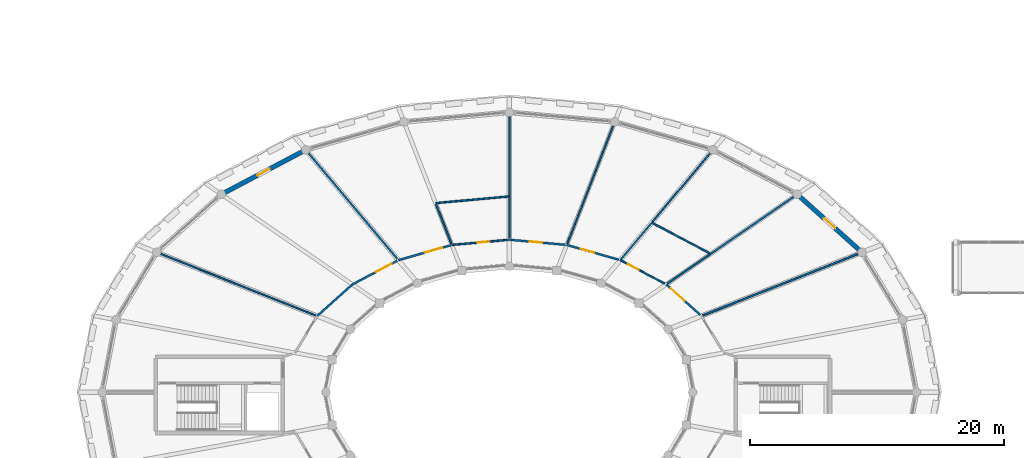
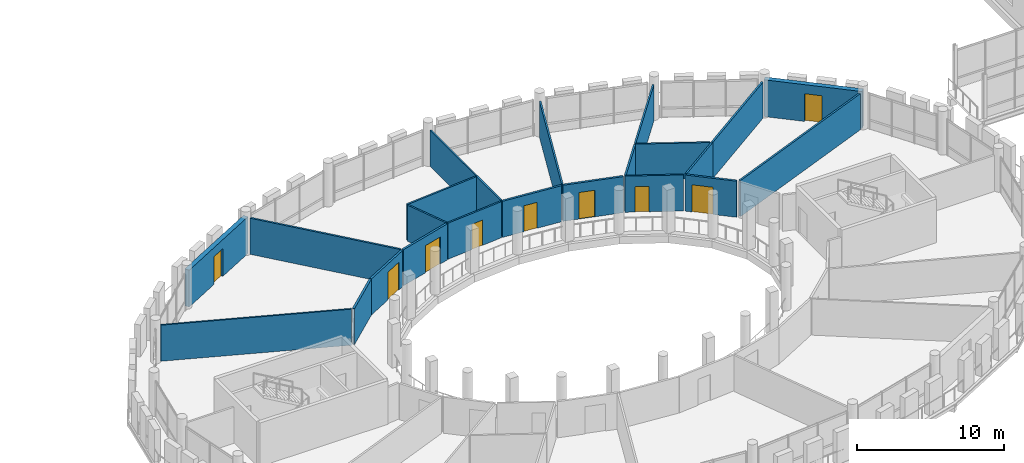
# One storey, part 115 of 128: 23 walls, 9 doors, 9 openings.
"""IFC4 building model written with IfcOpenShell, lengths in metres."""

from ifc_helpers import new_model, si_unit, direction, frame, frame_2d, origin, place, context, subcontext, project, spatial, rectangle, extrude, material, layer, layer_set, type_object, element, fill, save


model = new_model("IFC4")

# Units and contexts
model_context = context("Model", 3, precision=1e-05, world=origin(), true_north=direction((0.0, 1.0)))
body_context = subcontext(model_context, "Body", "Model", "MODEL_VIEW")
ifc_project = project(units=[si_unit("LENGTHUNIT", "METRE"), si_unit("AREAUNIT", "SQUARE_METRE"), si_unit("VOLUMEUNIT", "CUBIC_METRE"), si_unit("PLANEANGLEUNIT", "RADIAN"), si_unit("MASSUNIT", "GRAM", prefix="KILO")], contexts=[model_context])

# Site, building, storey
site_placement = place(None, origin())
site = spatial("IfcSite", under=ifc_project, at=site_placement, CompositionType="ELEMENT")
building_placement = place(site_placement, origin())
building = spatial("IfcBuilding", under=site, at=building_placement, Name="Zornivar Specialist Clinic", CompositionType="ELEMENT")
storey_placement = place(building_placement, frame((0.0, 0.0, 4.5)))
storey = spatial("IfcBuildingStorey", under=building, at=storey_placement, Name="L01", CompositionType="ELEMENT", Elevation=4.5)

# Wall, opening, door
ifc_material_1 = material(Name="Masonry Drum Limestone Portal Wall", Category="masonry")
ifc_layer_1 = layer(ifc_material_1, 0.35009765625)
ifc_layer_set_1 = layer_set([ifc_layer_1], Name="Masonry Drum Limestone Portal Wall")
wall_type_1 = type_object("IfcWallType", Name="EW-DRUM-350", PredefinedType="SOLIDWALL", material=ifc_layer_set_1)
wall_1_placement = place(storey_placement, frame((121.31298828125, 68.60009765625, 0.0), z_axis=(0.0, 0.0, 1.0), x_axis=(-0.744853105459, 0.66722848507, 0.0)))
wall_1 = element("IfcWall", 1, at=wall_1_placement, inside=storey, type_object=wall_type_1, Name="ew:V1:L01:c02", PredefinedType="SOLIDWALL", context=body_context, shape_type="SweptSolid", body=[
    extrude(rectangle(XDim=6.828125, YDim=0.35009765625, at=frame_2d((3.4140625, 0.0))), origin(), (0.0, 0.0, 1.0), 3.050048828125),
])
opening_1_placement = place(wall_1_placement, frame((2.81396484375, 0.0, 0.0)))
opening_1 = element("IfcOpeningElement", 2, at=opening_1_placement, cuts=wall_1, Name="Opening BD-01", PredefinedType="OPENING", context=body_context, shape_type="SweptSolid", body=[
    extrude(rectangle(XDim=1.199951171875, YDim=2.300048828125, at=frame_2d((0.60009765625, 1.14990234375))), frame((0.0, 0.18505859375, 0.0), z_axis=(0.0, -1.0, 0.0), x_axis=(1.0, 0.0, 0.0)), (0.0, 0.0, 1.0), 0.3701171875),
])
ifc_material_2 = material(Name="Thermally Broken Glazed Aluminium Door", Category="aluminium")
door_type_1 = type_object("IfcDoorType", Name="BD-BALC-1200x2300", OperationType="NOTDEFINED", PredefinedType="DOOR", material=ifc_material_2)
door_1_placement = place(opening_1_placement, origin())
door_1 = element("IfcDoor", 3, at=door_1_placement, inside=storey, type_object=door_type_1, Name="door:V1:L01:c02", OperationType="SINGLE_SWING_RIGHT", OverallHeight=2.300048828125, OverallWidth=1.199951171875, PredefinedType="DOOR", context=body_context, shape_type="SweptSolid", body=[
    extrude(rectangle(XDim=1.199951171875, YDim=2.300048828125, at=frame_2d((0.60009765625, 1.14990234375))), frame((0.0, 0.02490234375, 0.0), z_axis=(0.0, -1.0, 0.0), x_axis=(1.0, 0.0, 0.0)), (0.0, 0.0, 1.0), 0.050048828125),
])
fill(opening_1, door_1)

wall_2_placement = place(storey_placement, frame((77.60009765625, 76.653076171875, 0.0), z_axis=(0.0, 0.0, 1.0), x_axis=(-0.8844187475, -0.466694202954, 0.0)))
wall_2 = element("IfcWall", 4, at=wall_2_placement, inside=storey, type_object=wall_type_1, Name="ew:V1:L01:c08", PredefinedType="SOLIDWALL", context=body_context, shape_type="SweptSolid", body=[
    extrude(rectangle(XDim=7.4931640625, YDim=0.35009765625, at=frame_2d((3.74658203125, 0.0))), origin(), (0.0, 0.0, 1.0), 3.050048828125),
])
opening_2_placement = place(wall_2_placement, frame((3.197021484375, 0.0, 0.0)))
opening_2 = element("IfcOpeningElement", 5, at=opening_2_placement, cuts=wall_2, Name="Opening BD-02", PredefinedType="OPENING", context=body_context, shape_type="SweptSolid", body=[
    extrude(rectangle(XDim=1.10009765625, YDim=2.300048828125, at=frame_2d((0.550048828125, 1.14990234375))), frame((0.0, 0.18505859375, 0.0), z_axis=(0.0, -1.0, 0.0), x_axis=(1.0, 0.0, 0.0)), (0.0, 0.0, 1.0), 0.3701171875),
])
ifc_material_3 = material(Name="Thermally Broken Glazed Aluminium Door", Category="aluminium")
door_type_2 = type_object("IfcDoorType", Name="BD-BALC-1100x2300", OperationType="NOTDEFINED", PredefinedType="DOOR", material=ifc_material_3)
door_2_placement = place(opening_2_placement, origin())
door_2 = element("IfcDoor", 6, at=door_2_placement, inside=storey, type_object=door_type_2, Name="door:V1:L01:c08", OperationType="SINGLE_SWING_RIGHT", OverallHeight=2.300048828125, OverallWidth=1.10009765625, PredefinedType="DOOR", context=body_context, shape_type="SweptSolid", body=[
    extrude(rectangle(XDim=1.10009765625, YDim=2.300048828125, at=frame_2d((0.550048828125, 1.14990234375))), frame((0.0, 0.02490234375, 0.0), z_axis=(0.0, -1.0, 0.0), x_axis=(1.0, 0.0, 0.0)), (0.0, 0.0, 1.0), 0.050048828125),
])
fill(opening_2, door_2)

# Walls
ifc_material_4 = material(Name="Acoustic Clinical Stud Partition")
ifc_layer_2 = layer(ifc_material_4, 0.139892578125)
ifc_layer_set_2 = layer_set([ifc_layer_2], Name="Acoustic Clinical Stud Partition")
wall_type_2 = type_object("IfcWallType", Name="IW-CLIN-140", PredefinedType="PARTITIONING", material=ifc_layer_set_2)
wall_3_placement = place(storey_placement, frame((108.802978515625, 63.634033203125, 0.0), z_axis=(0.0, 0.0, 1.0), x_axis=(0.929449560743, 0.368949202513, 0.0)))
element("IfcWall", 7, at=wall_3_placement, inside=storey, type_object=wall_type_2, Name="iw:L01:002", PredefinedType="PARTITIONING", context=body_context, shape_type="SweptSolid", body=[
    extrude(rectangle(XDim=13.10986328125, YDim=0.139892578125, at=frame_2d((6.554931640625, 0.0))), origin(), (0.0, 0.0, 1.0), 2.989990234375),
])
wall_4_placement = place(storey_placement, frame((109.443115234375, 68.491943359375, 0.0), z_axis=(0.0, 0.0, 1.0), x_axis=(0.82403198394, 0.566543281175, 0.0)))
element("IfcWall", 8, at=wall_4_placement, inside=storey, type_object=wall_type_2, Name="iw:L01:006", PredefinedType="PARTITIONING", context=body_context, shape_type="SweptSolid", body=[
    extrude(rectangle(XDim=7.883056640625, YDim=0.139892578125, at=frame_2d((3.94140625, 0.0))), origin(), (0.0, 0.0, 1.0), 2.989990234375),
])
wall_5_placement = place(storey_placement, frame((84.7939453125, 68.0869140625, 0.0), z_axis=(0.0, 0.0, 1.0), x_axis=(-0.643115997281, 0.765768773221, 0.0)))
element("IfcWall", 9, at=wall_5_placement, inside=storey, type_object=wall_type_2, Name="iw:L01:020", PredefinedType="PARTITIONING", context=body_context, shape_type="SweptSolid", body=[
    extrude(rectangle(XDim=10.836181640625, YDim=0.139892578125, at=frame_2d((5.41796875, 0.0))), origin(), (0.0, 0.0, 1.0), 2.989990234375),
])

# Wall, opening, door
ifc_material_5 = material(Name="Gypsum Fire-Rated Double Stud Partition")
ifc_layer_3 = layer(ifc_material_5, 0.159912109375)
ifc_layer_set_3 = layer_set([ifc_layer_3], Name="Gypsum Fire-Rated Double Stud Partition")
wall_type_3 = type_object("IfcWallType", Name="IW-CORR-EI60-160", PredefinedType="PARTITIONING", material=ifc_layer_set_3)
wall_6_placement = place(storey_placement, frame((108.60400390625, 63.68408203125, 0.0), z_axis=(0.0, 0.0, 1.0), x_axis=(-0.744831812661, 0.667252254284, 0.0)))
wall_6 = element("IfcWall", 10, at=wall_6_placement, inside=storey, type_object=wall_type_3, Name="iw:L01:004", PredefinedType="PARTITIONING", context=body_context, shape_type="SweptSolid", body=[
    extrude(rectangle(XDim=3.587646484375, YDim=0.159912109375, at=frame_2d((1.7939453125, 0.0))), origin(), (0.0, 0.0, 1.0), 2.989990234375),
])
opening_3_placement = place(wall_6_placement, frame((1.657958984375, 0.0, 0.0)))
opening_3 = element("IfcOpeningElement", 11, at=opening_3_placement, cuts=wall_6, Name="Opening ID-11", PredefinedType="OPENING", context=body_context, shape_type="SweptSolid", body=[
    extrude(rectangle(XDim=1.449951171875, YDim=2.25, at=frame_2d((0.72509765625, 1.125))), frame((0.0, 0.08984375, 0.0), z_axis=(0.0, -1.0, 0.0), x_axis=(1.0, 0.0, 0.0)), (0.0, 0.0, 1.0), 0.179931640625),
])
ifc_material_6 = material(Name="Solid-Core Hygienic Laminate Timber Door", Category="wood")
door_type_3 = type_object("IfcDoorType", Name="ID-INFUS-1450x2250", OperationType="NOTDEFINED", PredefinedType="DOOR", material=ifc_material_6)
door_3_placement = place(opening_3_placement, origin())
door_3 = element("IfcDoor", 12, at=door_3_placement, inside=storey, type_object=door_type_3, Name="door:space:V1:L01:rm:02", OperationType="DOUBLE_DOOR_SINGLE_SWING", OverallHeight=2.25, OverallWidth=1.449951171875, PredefinedType="DOOR", context=body_context, shape_type="SweptSolid", body=[
    extrude(rectangle(XDim=1.449951171875, YDim=2.25, at=frame_2d((0.72509765625, 1.125))), frame((0.0, 0.02490234375, 0.0), z_axis=(0.0, -1.0, 0.0), x_axis=(1.0, 0.0, 0.0)), (0.0, 0.0, 1.0), 0.050048828125),
])
fill(opening_3, door_3)

wall_7_placement = place(storey_placement, frame((102.201904296875, 68.01806640625, 0.0), z_axis=(0.0, 0.0, 1.0), x_axis=(-0.961841952324, 0.27360566286, 0.0)))
wall_7 = element("IfcWall", 13, at=wall_7_placement, inside=storey, type_object=wall_type_3, Name="iw:L01:011", PredefinedType="PARTITIONING", context=body_context, shape_type="SweptSolid", body=[
    extrude(rectangle(XDim=4.25, YDim=0.159912109375, at=frame_2d((2.125, 0.0))), origin(), (0.0, 0.0, 1.0), 2.989990234375),
])
opening_4_placement = place(wall_7_placement, frame((2.012939453125, 0.0, 0.0)))
opening_4 = element("IfcOpeningElement", 14, at=opening_4_placement, cuts=wall_7, Name="Opening ID-05", PredefinedType="OPENING", context=body_context, shape_type="SweptSolid", body=[
    extrude(rectangle(XDim=1.10009765625, YDim=2.199951171875, at=frame_2d((0.550048828125, 1.10009765625))), frame((0.0, 0.08984375, 0.0), z_axis=(0.0, -1.0, 0.0), x_axis=(1.0, 0.0, 0.0)), (0.0, 0.0, 1.0), 0.179931640625),
])
ifc_material_7 = material(Name="Solid-Core Hygienic Laminate Timber Door", Category="wood")
door_type_4 = type_object("IfcDoorType", Name="ID-THER-1100x2200", OperationType="NOTDEFINED", PredefinedType="DOOR", material=ifc_material_7)
door_4_placement = place(opening_4_placement, origin())
door_4 = element("IfcDoor", 15, at=door_4_placement, inside=storey, type_object=door_type_4, Name="door:space:V1:L01:rm:04", OperationType="SINGLE_SWING_LEFT", OverallHeight=2.199951171875, OverallWidth=1.10009765625, PredefinedType="DOOR", context=body_context, shape_type="SweptSolid", body=[
    extrude(rectangle(XDim=1.10009765625, YDim=2.199951171875, at=frame_2d((0.550048828125, 1.10009765625))), frame((0.0, 0.02490234375, 0.0), z_axis=(0.0, -1.0, 0.0), x_axis=(1.0, 0.0, 0.0)), (0.0, 0.0, 1.0), 0.050048828125),
])
fill(opening_4, door_4)

wall_8_placement = place(storey_placement, frame((98.013916015625, 69.18994140625, 0.0), z_axis=(0.0, 0.0, 1.0), x_axis=(-0.995915752095, 0.090287400724, 0.0)))
wall_8 = element("IfcWall", 16, at=wall_8_placement, inside=storey, type_object=wall_type_3, Name="iw:L01:013", PredefinedType="PARTITIONING", context=body_context, shape_type="SweptSolid", body=[
    extrude(rectangle(XDim=4.431884765625, YDim=0.159912109375, at=frame_2d((2.2158203125, 0.0))), origin(), (0.0, 0.0, 1.0), 2.989990234375),
])
opening_5_placement = place(wall_8_placement, frame((1.839111328125, 0.0, 0.0)))
opening_5 = element("IfcOpeningElement", 17, at=opening_5_placement, cuts=wall_8, Name="Opening ID-09", PredefinedType="OPENING", context=body_context, shape_type="SweptSolid", body=[
    extrude(rectangle(XDim=0.97998046875, YDim=2.14990234375, at=frame_2d((0.489990234375, 1.074951171875))), frame((0.0, 0.08984375, 0.0), z_axis=(0.0, -1.0, 0.0), x_axis=(1.0, 0.0, 0.0)), (0.0, 0.0, 1.0), 0.179931640625),
])
ifc_material_8 = material(Name="Solid-Core Hygienic Laminate Timber Door", Category="wood")
door_type_5 = type_object("IfcDoorType", Name="ID-STAFF-0980x2150", OperationType="NOTDEFINED", PredefinedType="DOOR", material=ifc_material_8)
door_5_placement = place(opening_5_placement, origin())
door_5 = element("IfcDoor", 18, at=door_5_placement, inside=storey, type_object=door_type_5, Name="door:space:V1:L01:rm:05", OperationType="SINGLE_SWING_RIGHT", OverallHeight=2.14990234375, OverallWidth=0.97998046875, PredefinedType="DOOR", context=body_context, shape_type="SweptSolid", body=[
    extrude(rectangle(XDim=0.97998046875, YDim=2.14990234375, at=frame_2d((0.489990234375, 1.074951171875))), frame((0.0, 0.02490234375, 0.0), z_axis=(0.0, -1.0, 0.0), x_axis=(1.0, 0.0, 0.0)), (0.0, 0.0, 1.0), 0.050048828125),
])
fill(opening_5, door_5)

wall_9_placement = place(storey_placement, frame((89.001953125, 69.156982421875, 0.0), z_axis=(0.0, 0.0, 1.0), x_axis=(-0.961809330403, -0.273720317021, 0.0)))
wall_9 = element("IfcWall", 19, at=wall_9_placement, inside=storey, type_object=wall_type_3, Name="iw:L01:019", PredefinedType="PARTITIONING", context=body_context, shape_type="SweptSolid", body=[
    extrude(rectangle(XDim=4.28564453125, YDim=0.159912109375, at=frame_2d((2.142822265625, 0.0))), origin(), (0.0, 0.0, 1.0), 2.989990234375),
])
opening_6_placement = place(wall_9_placement, frame((0.68798828125, 0.0, 0.0)))
opening_6 = element("IfcOpeningElement", 20, at=opening_6_placement, cuts=wall_9, Name="Opening ID-11", PredefinedType="OPENING", context=body_context, shape_type="SweptSolid", body=[
    extrude(rectangle(XDim=1.449951171875, YDim=2.25, at=frame_2d((0.72509765625, 1.125))), frame((0.0, 0.08984375, 0.0), z_axis=(0.0, -1.0, 0.0), x_axis=(1.0, 0.0, 0.0)), (0.0, 0.0, 1.0), 0.179931640625),
])
door_6_placement = place(opening_6_placement, origin())
door_6 = element("IfcDoor", 21, at=door_6_placement, inside=storey, type_object=door_type_3, Name="door:space:V1:L01:rm:07", OperationType="DOUBLE_DOOR_SINGLE_SWING", OverallHeight=2.25, OverallWidth=1.449951171875, PredefinedType="DOOR", context=body_context, shape_type="SweptSolid", body=[
    extrude(rectangle(XDim=1.449951171875, YDim=2.25, at=frame_2d((0.72509765625, 1.125))), frame((0.0, 0.02490234375, 0.0), z_axis=(0.0, -1.0, 0.0), x_axis=(1.0, 0.0, 0.0)), (0.0, 0.0, 1.0), 0.050048828125),
])
fill(opening_6, door_6)

wall_10_placement = place(storey_placement, frame((84.7890625, 67.93603515625, 0.0), z_axis=(0.0, 0.0, 1.0), x_axis=(-0.884400221891, -0.466729308613, 0.0)))
wall_10 = element("IfcWall", 22, at=wall_10_placement, inside=storey, type_object=wall_type_3, Name="iw:L01:021", PredefinedType="PARTITIONING", context=body_context, shape_type="SweptSolid", body=[
    extrude(rectangle(XDim=3.981201171875, YDim=0.159912109375, at=frame_2d((1.99072265625, 0.0))), origin(), (0.0, 0.0, 1.0), 2.989990234375),
])
opening_7_placement = place(wall_10_placement, frame((0.47998046875, 0.0, 0.0)))
opening_7 = element("IfcOpeningElement", 23, at=opening_7_placement, cuts=wall_10, Name="Opening ID-12", PredefinedType="OPENING", context=body_context, shape_type="SweptSolid", body=[
    extrude(rectangle(XDim=1.39990234375, YDim=2.300048828125, at=frame_2d((0.699951171875, 1.14990234375))), frame((0.0, 0.08984375, 0.0), z_axis=(0.0, -1.0, 0.0), x_axis=(1.0, 0.0, 0.0)), (0.0, 0.0, 1.0), 0.179931640625),
])
ifc_material_9 = material(Name="Solid-Core Hygienic Laminate Timber Door", Category="wood")
door_type_6 = type_object("IfcDoorType", Name="ID-WAIT-1400x2300", OperationType="NOTDEFINED", PredefinedType="DOOR", material=ifc_material_9)
door_7_placement = place(opening_7_placement, origin())
door_7 = element("IfcDoor", 24, at=door_7_placement, inside=storey, type_object=door_type_6, Name="door:space:V1:L01:rm:08", OperationType="DOUBLE_DOOR_SINGLE_SWING", OverallHeight=2.300048828125, OverallWidth=1.39990234375, PredefinedType="DOOR", context=body_context, shape_type="SweptSolid", body=[
    extrude(rectangle(XDim=1.39990234375, YDim=2.300048828125, at=frame_2d((0.699951171875, 1.14990234375))), frame((0.0, 0.02490234375, 0.0), z_axis=(0.0, -1.0, 0.0), x_axis=(1.0, 0.0, 0.0)), (0.0, 0.0, 1.0), 0.050048828125),
])
fill(opening_7, door_7)

# Walls
wall_11_placement = place(storey_placement, frame((81.259033203125, 66.070068359375, 0.0), z_axis=(0.0, 0.0, 1.0), x_axis=(-0.744840105901, -0.667242996697, 0.0)))
element("IfcWall", 25, at=wall_11_placement, inside=storey, type_object=wall_type_3, Name="iw:L01:022", PredefinedType="PARTITIONING", context=body_context, shape_type="SweptSolid", body=[
    extrude(rectangle(XDim=3.70947265625, YDim=0.159912109375, at=frame_2d((1.854736328125, 0.0))), origin(), (0.0, 0.0, 1.0), 2.989990234375),
])
ifc_material_10 = material(Name="Acoustic Glazed Consultation Partition")
ifc_layer_4 = layer(ifc_material_10, 0.1201171875)
ifc_layer_set_4 = layer_set([ifc_layer_4], Name="Acoustic Glazed Consultation Partition")
wall_type_4 = type_object("IfcWallType", Name="IW-GLAZ-120", PredefinedType="PARTITIONING", material=ifc_layer_set_4)
wall_12_placement = place(storey_placement, frame((109.375, 76.385009765625, 0.0), z_axis=(0.0, 0.0, 1.0), x_axis=(-0.643114691403, -0.765769869936, 0.0)))
element("IfcWall", 26, at=wall_12_placement, inside=storey, type_object=wall_type_4, Name="iw:L01:010", PredefinedType="PARTITIONING", context=body_context, shape_type="SweptSolid", body=[
    extrude(rectangle(XDim=7.0283203125, YDim=0.1201171875, at=frame_2d((3.51416015625, 0.0))), origin(), (0.0, 0.0, 1.0), 2.989990234375),
])
wall_13_placement = place(storey_placement, frame((98.14990234375, 69.27392578125, 0.0), z_axis=(0.0, 0.0, 1.0), x_axis=(0.363124982421, 0.931740439791, 0.0)))
element("IfcWall", 27, at=wall_13_placement, inside=storey, type_object=wall_type_4, Name="iw:L01:012", PredefinedType="PARTITIONING", context=body_context, shape_type="SweptSolid", body=[
    extrude(rectangle(XDim=9.927734375, YDim=0.1201171875, at=frame_2d((4.9638671875, 0.0))), origin(), (0.0, 0.0, 1.0), 2.989990234375),
])
wall_14_placement = place(storey_placement, frame((78.37109375, 63.64501953125, 0.0), z_axis=(0.0, 0.0, 1.0), x_axis=(-0.929468264861, 0.368902079984, 0.0)))
element("IfcWall", 28, at=wall_14_placement, inside=storey, type_object=wall_type_4, Name="iw:L01:023", PredefinedType="PARTITIONING", context=body_context, shape_type="SweptSolid", body=[
    extrude(rectangle(XDim=13.081787109375, YDim=0.1201171875, at=frame_2d((6.541015625, 0.0))), origin(), (0.0, 0.0, 1.0), 2.989990234375),
])
ifc_material_11 = material(Name="Acoustic Sub-Waiting Alcove Partition")
ifc_layer_5 = layer(ifc_material_11, 0.110107421875)
ifc_layer_set_5 = layer_set([ifc_layer_5], Name="Acoustic Sub-Waiting Alcove Partition")
wall_type_5 = type_object("IfcWallType", Name="IW-SUBWAIT-110", PredefinedType="PARTITIONING", material=ifc_layer_set_5)
wall_15_placement = place(storey_placement, frame((93.60009765625, 73.0048828125, 0.0), z_axis=(0.0, 0.0, 1.0), x_axis=(0.0, 1.0, 0.0)))
element("IfcWall", 29, at=wall_15_placement, inside=storey, type_object=wall_type_5, Name="iw:L01:015", PredefinedType="PARTITIONING", context=body_context, shape_type="SweptSolid", body=[
    extrude(rectangle(XDim=6.2451171875, YDim=0.110107421875, at=frame_2d((3.12255859375, 0.0))), origin(), (0.0, 0.0, 1.0), 2.989990234375),
])
ifc_material_12 = material(Name="Moisture-Resistant Sanitary Partition")
ifc_layer_6 = layer(ifc_material_12, 0.1298828125)
ifc_layer_set_6 = layer_set([ifc_layer_6], Name="Moisture-Resistant Sanitary Partition")
wall_type_6 = type_object("IfcWallType", Name="IW-WET-130", PredefinedType="PARTITIONING", material=ifc_layer_set_6)
wall_16_placement = place(storey_placement, frame((106.02490234375, 66.14208984375, 0.0), z_axis=(0.0, 0.0, 1.0), x_axis=(0.82405570279, 0.566508780779, 0.0)))
element("IfcWall", 30, at=wall_16_placement, inside=storey, type_object=wall_type_6, Name="iw:L01:005", PredefinedType="PARTITIONING", context=body_context, shape_type="SweptSolid", body=[
    extrude(rectangle(XDim=4.135986328125, YDim=0.1298828125, at=frame_2d((2.06787109375, 0.0))), origin(), (0.0, 0.0, 1.0), 2.989990234375),
])
wall_17_placement = place(storey_placement, frame((104.794921875, 70.930908203125, 0.0), z_axis=(0.0, 0.0, 1.0), x_axis=(0.884486003867, -0.466566725093, 0.0)))
element("IfcWall", 31, at=wall_17_placement, inside=storey, type_object=wall_type_6, Name="iw:L01:007", PredefinedType="PARTITIONING", context=body_context, shape_type="SweptSolid", body=[
    extrude(rectangle(XDim=5.114013671875, YDim=0.1298828125, at=frame_2d((2.55712890625, 0.0))), origin(), (0.0, 0.0, 1.0), 2.989990234375),
])

# Wall, opening, door
wall_18_placement = place(storey_placement, frame((105.822998046875, 66.135986328125, 0.0), z_axis=(0.0, 0.0, 1.0), x_axis=(-0.884475212642, 0.466587181802, 0.0)))
wall_18 = element("IfcWall", 32, at=wall_18_placement, inside=storey, type_object=wall_type_6, Name="iw:L01:008", PredefinedType="PARTITIONING", context=body_context, shape_type="SweptSolid", body=[
    extrude(rectangle(XDim=3.96044921875, YDim=0.1298828125, at=frame_2d((1.980224609375, 0.0))), origin(), (0.0, 0.0, 1.0), 2.989990234375),
])
opening_8_placement = place(wall_18_placement, frame((2.325927734375, 0.0, 0.0)))
opening_8 = element("IfcOpeningElement", 33, at=opening_8_placement, cuts=wall_18, Name="Opening ID-07", PredefinedType="OPENING", context=body_context, shape_type="SweptSolid", body=[
    extrude(rectangle(XDim=0.949951171875, YDim=2.10009765625, at=frame_2d((0.47509765625, 1.050048828125))), frame((0.0, 0.074951171875, 0.0), z_axis=(0.0, -1.0, 0.0), x_axis=(1.0, 0.0, 0.0)), (0.0, 0.0, 1.0), 0.14990234375),
])
ifc_material_13 = material(Name="Solid-Core Hygienic Laminate Timber Door", Category="wood")
door_type_7 = type_object("IfcDoorType", Name="ID-WC-ACC-0950x2100", OperationType="NOTDEFINED", PredefinedType="DOOR", material=ifc_material_13)
door_8_placement = place(opening_8_placement, origin())
door_8 = element("IfcDoor", 34, at=door_8_placement, inside=storey, type_object=door_type_7, Name="door:space:V1:L01:rm:03", OperationType="SINGLE_SWING_RIGHT", OverallHeight=2.10009765625, OverallWidth=0.949951171875, PredefinedType="DOOR", context=body_context, shape_type="SweptSolid", body=[
    extrude(rectangle(XDim=0.949951171875, YDim=2.10009765625, at=frame_2d((0.47509765625, 1.050048828125))), frame((0.0, 0.02490234375, 0.0), z_axis=(0.0, -1.0, 0.0), x_axis=(1.0, 0.0, 0.0)), (0.0, 0.0, 1.0), 0.050048828125),
])
fill(opening_8, door_8)

# Walls
wall_19_placement = place(storey_placement, frame((102.381103515625, 68.056884765625, 0.0), z_axis=(0.0, 0.0, 1.0), x_axis=(0.643179564641, 0.765715382912, 0.0)))
element("IfcWall", 35, at=wall_19_placement, inside=storey, type_object=wall_type_6, Name="iw:L01:009", PredefinedType="PARTITIONING", context=body_context, shape_type="SweptSolid", body=[
    extrude(rectangle(XDim=3.657958984375, YDim=0.1298828125, at=frame_2d((1.8291015625, 0.0))), origin(), (0.0, 0.0, 1.0), 2.989990234375),
])
wall_20_placement = place(storey_placement, frame((93.60009765625, 69.68994140625, 0.0), z_axis=(0.0, 0.0, 1.0), x_axis=(0.0, 1.0, 0.0)))
element("IfcWall", 36, at=wall_20_placement, inside=storey, type_object=wall_type_6, Name="iw:L01:014", PredefinedType="PARTITIONING", context=body_context, shape_type="SweptSolid", body=[
    extrude(rectangle(XDim=3.302978515625, YDim=0.1298828125, at=frame_2d((1.6513671875, 0.0))), origin(), (0.0, 0.0, 1.0), 2.989990234375),
])
wall_21_placement = place(storey_placement, frame((87.804931640625, 72.468017578125, 0.0), z_axis=(0.0, 0.0, 1.0), x_axis=(0.995924559999, 0.090190192324, 0.0)))
element("IfcWall", 37, at=wall_21_placement, inside=storey, type_object=wall_type_6, Name="iw:L01:016", PredefinedType="PARTITIONING", context=body_context, shape_type="SweptSolid", body=[
    extrude(rectangle(XDim=5.7333984375, YDim=0.1298828125, at=frame_2d((2.86669921875, 0.0))), origin(), (0.0, 0.0, 1.0), 2.989990234375),
])

# Wall, opening, door
wall_22_placement = place(storey_placement, frame((93.514892578125, 69.58203125, 0.0), z_axis=(0.0, 0.0, 1.0), x_axis=(-0.995923749059, -0.090199146668, 0.0)))
wall_22 = element("IfcWall", 38, at=wall_22_placement, inside=storey, type_object=wall_type_6, Name="iw:L01:017", PredefinedType="PARTITIONING", context=body_context, shape_type="SweptSolid", body=[
    extrude(rectangle(XDim=4.447021484375, YDim=0.1298828125, at=frame_2d((2.2236328125, 0.0))), origin(), (0.0, 0.0, 1.0), 2.989990234375),
])
opening_9_placement = place(wall_22_placement, frame((1.55810546875, 0.0, 0.0)))
opening_9 = element("IfcOpeningElement", 39, at=opening_9_placement, cuts=wall_22, Name="Opening ID-08", PredefinedType="OPENING", context=body_context, shape_type="SweptSolid", body=[
    extrude(rectangle(XDim=0.89990234375, YDim=2.10009765625, at=frame_2d((0.449951171875, 1.050048828125))), frame((0.0, 0.074951171875, 0.0), z_axis=(0.0, -1.0, 0.0), x_axis=(1.0, 0.0, 0.0)), (0.0, 0.0, 1.0), 0.14990234375),
])
ifc_material_14 = material(Name="Solid-Core Hygienic Laminate Timber Door", Category="wood")
door_type_8 = type_object("IfcDoorType", Name="ID-WC-STD-0900x2100", OperationType="NOTDEFINED", PredefinedType="DOOR", material=ifc_material_14)
door_9_placement = place(opening_9_placement, origin())
door_9 = element("IfcDoor", 40, at=door_9_placement, inside=storey, type_object=door_type_8, Name="door:space:V1:L01:rm:06", OperationType="SINGLE_SWING_LEFT", OverallHeight=2.10009765625, OverallWidth=0.89990234375, PredefinedType="DOOR", context=body_context, shape_type="SweptSolid", body=[
    extrude(rectangle(XDim=0.89990234375, YDim=2.10009765625, at=frame_2d((0.449951171875, 1.050048828125))), frame((0.0, 0.02490234375, 0.0), z_axis=(0.0, -1.0, 0.0), x_axis=(1.0, 0.0, 0.0)), (0.0, 0.0, 1.0), 0.050048828125),
])
fill(opening_9, door_9)

# Wall
wall_23_placement = place(storey_placement, frame((89.049072265625, 69.27490234375, 0.0), z_axis=(0.0, 0.0, 1.0), x_axis=(-0.362920895293, 0.931819952437, 0.0)))
element("IfcWall", 41, at=wall_23_placement, inside=storey, type_object=wall_type_6, Name="iw:L01:018", PredefinedType="PARTITIONING", context=body_context, shape_type="SweptSolid", body=[
    extrude(rectangle(XDim=3.325927734375, YDim=0.1298828125, at=frame_2d((1.6630859375, 0.0))), origin(), (0.0, 0.0, 1.0), 2.989990234375),
])

save(model, "model.ifc")
